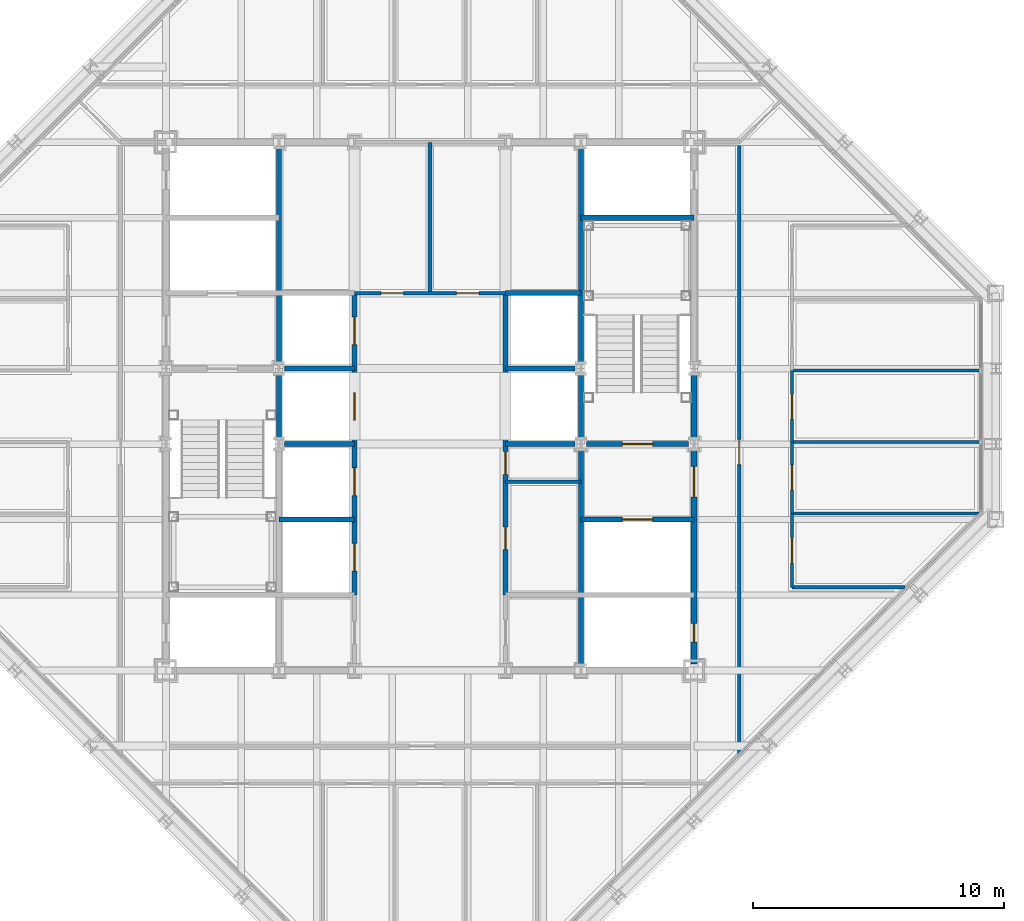
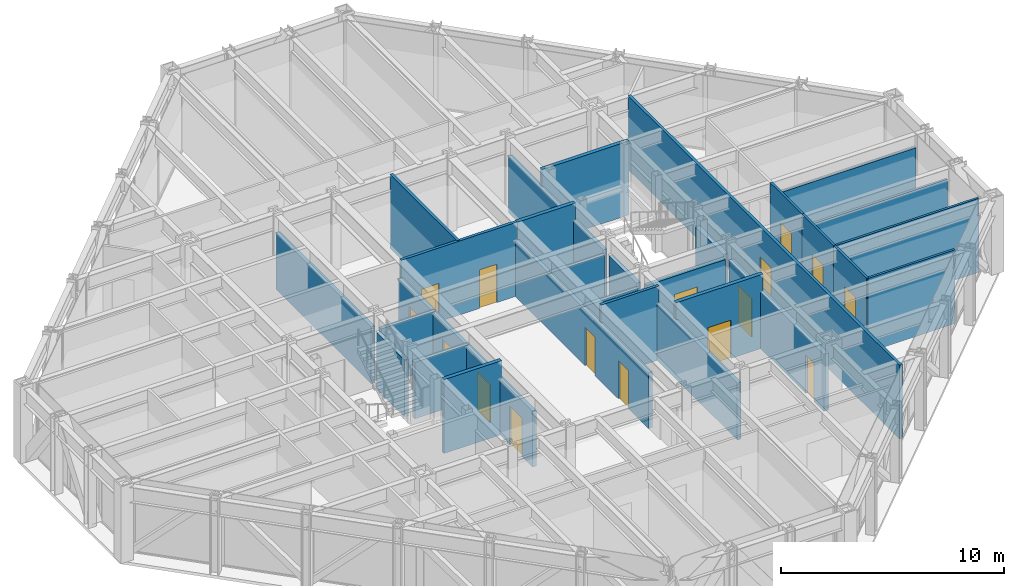
# One storey, part 11 of 15: 29 walls, 16 doors, 16 openings.
"""IFC4 building model written with IfcOpenShell, lengths in metres."""

from ifc_helpers import new_model, si_unit, direction, frame, frame_2d, origin, place, context, subcontext, project, spatial, rectangle, extrude, material, layer, layer_set, type_object, element, fill, save


model = new_model("IFC4")

# Units and contexts
model_context = context("Model", 3, precision=1e-05, world=origin(), true_north=direction((0.0, 1.0)))
body_context = subcontext(model_context, "Body", "Model", "MODEL_VIEW")
ifc_project = project(units=[si_unit("LENGTHUNIT", "METRE"), si_unit("AREAUNIT", "SQUARE_METRE"), si_unit("VOLUMEUNIT", "CUBIC_METRE"), si_unit("PLANEANGLEUNIT", "RADIAN"), si_unit("MASSUNIT", "GRAM", prefix="KILO")], contexts=[model_context])

# Site, building, storey
site_placement = place(None, origin())
site = spatial("IfcSite", under=ifc_project, at=site_placement, CompositionType="ELEMENT")
building_placement = place(site_placement, origin())
building = spatial("IfcBuilding", under=site, at=building_placement, Name="Chuquiago Exchange Tower", CompositionType="ELEMENT")
storey_placement = place(building_placement, frame((0.0, 0.0, 270.60009765625)))
storey = spatial("IfcBuildingStorey", under=building, at=storey_placement, Name="L60", CompositionType="ELEMENT", Elevation=270.60009765625)

# Wall, openings, doors
ifc_material_1 = material(Name="Concrete masonry, fully grouted", Category="masonry")
ifc_layer_1 = layer(ifc_material_1, 0.25)
ifc_layer_set_1 = layer_set([ifc_layer_1], Name="W1 core wall 250")
wall_type_1 = type_object("IfcWallType", Name="W1 core wall 250", PredefinedType="SOLIDWALL", material=ifc_layer_set_1)
wall_1_placement = place(storey_placement, frame((33.0, 12.25, 0.0), z_axis=(0.0, 0.0, 1.0), x_axis=(0.0, 1.0, 0.0)))
wall_1 = element("IfcWall", 1, at=wall_1_placement, inside=storey, type_object=wall_type_1, Name="CW-L60-25-0", PredefinedType="SOLIDWALL", context=body_context, shape_type="SweptSolid", body=[
    extrude(rectangle(XDim=8.5, YDim=0.25, at=frame_2d((4.25, 0.0))), origin(), (0.0, 0.0, 1.0), 3.11279296875),
])
opening_1_placement = place(wall_1_placement, frame((6.64990234375, 0.0, 0.0)))
opening_1 = element("IfcOpeningElement", 2, at=opening_1_placement, cuts=wall_1, Name="Opening L60-004", PredefinedType="OPENING", context=body_context, shape_type="SweptSolid", body=[
    extrude(rectangle(XDim=1.199951171875, YDim=2.10009765625, at=frame_2d((0.60009765625, 1.050048828125))), frame((0.0, 0.135009765625, 0.0), z_axis=(0.0, -1.0, 0.0), x_axis=(1.0, 0.0, 0.0)), (0.0, 0.0, 1.0), 0.27001953125),
])
opening_2_placement = place(wall_1_placement, frame((0.875, 0.0, 0.0)))
opening_2 = element("IfcOpeningElement", 3, at=opening_2_placement, cuts=wall_1, Name="Opening L60-009", PredefinedType="OPENING", context=body_context, shape_type="SweptSolid", body=[
    extrude(rectangle(XDim=0.75, YDim=2.10009765625, at=frame_2d((0.375, 1.050048828125))), frame((0.0, 0.135009765625, 0.0), z_axis=(0.0, -1.0, 0.0), x_axis=(1.0, 0.0, 0.0)), (0.0, 0.0, 1.0), 0.27001953125),
])
ifc_material_2 = material(Name="Steel door, painted", Category="steel")
door_type_1 = type_object("IfcDoorType", Name="D5 firefighting lobby door 1200x2100", OperationType="SINGLE_SWING_LEFT", PredefinedType="DOOR", material=ifc_material_2)
door_1_placement = place(opening_1_placement, origin())
door_1 = element("IfcDoor", 4, at=door_1_placement, inside=storey, type_object=door_type_1, Name="Firefighting lobby 2 door", OperationType="SINGLE_SWING_RIGHT", OverallHeight=2.10009765625, OverallWidth=1.199951171875, PredefinedType="DOOR", context=body_context, shape_type="SweptSolid", body=[
    extrude(rectangle(XDim=1.199951171875, YDim=2.10009765625, at=frame_2d((0.60009765625, 1.050048828125))), frame((0.0, 0.02490234375, 0.0), z_axis=(0.0, -1.0, 0.0), x_axis=(1.0, 0.0, 0.0)), (0.0, 0.0, 1.0), 0.050048828125),
])
fill(opening_1, door_1)
ifc_material_3 = material(Name="Steel door, painted", Category="steel")
door_type_2 = type_object("IfcDoorType", Name="D6 riser access door 750x2100", OperationType="SINGLE_SWING_LEFT", PredefinedType="DOOR", material=ifc_material_3)
door_2_placement = place(opening_2_placement, origin())
door_2 = element("IfcDoor", 5, at=door_2_placement, inside=storey, type_object=door_type_2, Name="Riser RE1 door", OperationType="SINGLE_SWING_LEFT", OverallHeight=2.10009765625, OverallWidth=0.75, PredefinedType="DOOR", context=body_context, shape_type="SweptSolid", body=[
    extrude(rectangle(XDim=0.75, YDim=2.10009765625, at=frame_2d((0.375, 1.050048828125))), frame((0.0, 0.02490234375, 0.0), z_axis=(0.0, -1.0, 0.0), x_axis=(1.0, 0.0, 0.0)), (0.0, 0.0, 1.0), 0.050048828125),
])
fill(opening_2, door_2)

# Wall
wall_2_placement = place(storey_placement, frame((33.0, 21.25, 0.0), z_axis=(0.0, 0.0, 1.0), x_axis=(0.0, 1.0, 0.0)))
element("IfcWall", 6, at=wall_2_placement, inside=storey, type_object=wall_type_1, Name="CW-L60-25-1", PredefinedType="SOLIDWALL", context=body_context, shape_type="SweptSolid", body=[
    extrude(rectangle(XDim=2.5, YDim=0.25, at=frame_2d((1.25, 0.0))), origin(), (0.0, 0.0, 1.0), 3.11279296875),
])

# Wall, opening, door
ifc_material_4 = material(Name="Gypsum board on steel studs, acoustic insulation", Category="steel")
ifc_layer_2 = layer(ifc_material_4, 0.14990234375)
ifc_layer_set_2 = layer_set([ifc_layer_2], Name="W11 corridor wall 150")
wall_type_2 = type_object("IfcWallType", Name="W11 corridor wall 150", PredefinedType="PARTITIONING", material=ifc_layer_set_2)
wall_3_placement = place(storey_placement, frame((34.800048828125, 8.685546875, 0.0), z_axis=(0.0, 0.0, 1.0), x_axis=(0.0, 1.0, 0.0)))
wall_3 = element("IfcWall", 7, at=wall_3_placement, inside=storey, type_object=wall_type_2, Name="PW-L60-GE0", PredefinedType="PARTITIONING", context=body_context, shape_type="SweptSolid", body=[
    extrude(rectangle(XDim=24.314453125, YDim=0.14990234375, at=frame_2d((12.1572265625, 0.0))), origin(), (0.0, 0.0, 1.0), 4.039794921875),
])
opening_3_placement = place(wall_3_placement, frame((11.5, 0.0, 0.0)))
opening_3 = element("IfcOpeningElement", 8, at=opening_3_placement, cuts=wall_3, Name="Opening L60-043", PredefinedType="OPENING", context=body_context, shape_type="SweptSolid", body=[
    extrude(rectangle(XDim=1.0, YDim=2.39990234375, at=frame_2d((0.5, 1.199951171875))), frame((0.0, 0.0849609375, 0.0), z_axis=(0.0, -1.0, 0.0), x_axis=(1.0, 0.0, 0.0)), (0.0, 0.0, 1.0), 0.169921875),
])
ifc_material_5 = material(Name="Timber door, laminate faced", Category="wood")
door_type_3 = type_object("IfcDoorType", Name="D9 room door 1000x2400", OperationType="SINGLE_SWING_LEFT", PredefinedType="DOOR", material=ifc_material_5)
door_3_placement = place(opening_3_placement, frame((1.0, 0.0, 0.0), z_axis=(0.0, 0.0, 1.0), x_axis=(-1.0, 0.0, 0.0)))
door_3 = element("IfcDoor", 9, at=door_3_placement, inside=storey, type_object=door_type_3, Name="Team area door", OperationType="SINGLE_SWING_RIGHT", OverallHeight=2.39990234375, OverallWidth=1.0, PredefinedType="DOOR", context=body_context, shape_type="SweptSolid", body=[
    extrude(rectangle(XDim=1.0, YDim=2.39990234375, at=frame_2d((0.5, 1.199951171875))), frame((0.0, 0.02490234375, 0.0), z_axis=(0.0, -1.0, 0.0), x_axis=(1.0, 0.0, 0.0)), (0.0, 0.0, 1.0), 0.050048828125),
])
fill(opening_3, door_3)

# Walls
ifc_material_6 = material(Name="Concrete masonry, fully grouted", Category="masonry")
ifc_layer_3 = layer(ifc_material_6, 0.199951171875)
ifc_layer_set_3 = layer_set([ifc_layer_3], Name="W2 shaft wall 200")
wall_type_3 = type_object("IfcWallType", Name="W2 shaft wall 200", PredefinedType="SOLIDWALL", material=ifc_layer_set_3)
for number, where, z_axis, x_axis, name in (
    (10, (16.724853515625, 24.0, 0.0), (0.0, 0.0, 1.0), (1.0, 0.0, 0.0), "CW-L60-05-1"),
    (11, (25.5, 24.0, 0.0), (0.0, 0.0, 1.0), (1.0, 0.0, 0.0), "CW-L60-06-0"),
):
    element("IfcWall", number, at=place(storey_placement, frame(where, z_axis=z_axis, x_axis=x_axis)), inside=storey, type_object=wall_type_3, Name=name, PredefinedType="SOLIDWALL", context=body_context, shape_type="SweptSolid", body=[
        extrude(rectangle(XDim=2.775146484375, YDim=0.199951171875, at=frame_2d((1.3876953125, 0.0))), origin(), (0.0, 0.0, 1.0), 3.08984375),
    ])
wall_4_placement = place(storey_placement, frame((25.5, 27.0, 0.0), z_axis=(0.0, 0.0, 1.0), x_axis=(1.0, 0.0, 0.0)))
element("IfcWall", 12, at=wall_4_placement, inside=storey, type_object=wall_type_3, Name="CW-L60-08-0", PredefinedType="SOLIDWALL", context=body_context, shape_type="SweptSolid", body=[
    extrude(rectangle(XDim=3.0, YDim=0.199951171875, at=frame_2d((1.5, 0.0))), origin(), (0.0, 0.0, 1.0), 4.039794921875),
])
wall_5_placement = place(storey_placement, frame((28.5, 30.0, 0.0), z_axis=(0.0, 0.0, 1.0), x_axis=(1.0, 0.0, 0.0)))
element("IfcWall", 13, at=wall_5_placement, inside=storey, type_object=wall_type_3, Name="CW-L60-10-0", PredefinedType="SOLIDWALL", context=body_context, shape_type="SweptSolid", body=[
    extrude(rectangle(XDim=4.5, YDim=0.199951171875, at=frame_2d((2.25, 0.0))), origin(), (0.0, 0.0, 1.0), 4.039794921875),
])
wall_6_placement = place(storey_placement, frame((16.5, 21.25, 0.0), z_axis=(0.0, 0.0, 1.0), x_axis=(0.0, 1.0, 0.0)))
element("IfcWall", 14, at=wall_6_placement, inside=storey, type_object=wall_type_3, Name="CW-L60-13-1", PredefinedType="SOLIDWALL", context=body_context, shape_type="SweptSolid", body=[
    extrude(rectangle(XDim=2.5, YDim=0.199951171875, at=frame_2d((1.25, 0.0))), origin(), (0.0, 0.0, 1.0), 3.11279296875),
])
wall_7_placement = place(storey_placement, frame((16.5, 24.25, 0.0), z_axis=(0.0, 0.0, 1.0), x_axis=(0.0, 1.0, 0.0)))
element("IfcWall", 15, at=wall_7_placement, inside=storey, type_object=wall_type_3, Name="CW-L60-13-2", PredefinedType="SOLIDWALL", context=body_context, shape_type="SweptSolid", body=[
    extrude(rectangle(XDim=8.5, YDim=0.199951171875, at=frame_2d((4.25, 0.0))), origin(), (0.0, 0.0, 1.0), 3.11279296875),
])
wall_8_placement = place(storey_placement, frame((16.5, 18.0, 0.0), z_axis=(0.0, 0.0, 1.0), x_axis=(1.0, 0.0, 0.0)))
element("IfcWall", 16, at=wall_8_placement, inside=storey, type_object=wall_type_3, Name="CW-L60-14-0", PredefinedType="SOLIDWALL", context=body_context, shape_type="SweptSolid", body=[
    extrude(rectangle(XDim=3.0, YDim=0.199951171875, at=frame_2d((1.5, 0.0))), origin(), (0.0, 0.0, 1.0), 4.039794921875),
])

# Wall, opening, door
wall_9_placement = place(storey_placement, frame((28.5, 18.0, 0.0), z_axis=(0.0, 0.0, 1.0), x_axis=(1.0, 0.0, 0.0)))
wall_9 = element("IfcWall", 17, at=wall_9_placement, inside=storey, type_object=wall_type_3, Name="CW-L60-15-0", PredefinedType="SOLIDWALL", context=body_context, shape_type="SweptSolid", body=[
    extrude(rectangle(XDim=4.5, YDim=0.199951171875, at=frame_2d((2.25, 0.0))), origin(), (0.0, 0.0, 1.0), 4.039794921875),
])
opening_4_placement = place(wall_9_placement, frame((1.64990234375, 0.0, 0.0)))
opening_4 = element("IfcOpeningElement", 18, at=opening_4_placement, cuts=wall_9, Name="Opening L60-006", PredefinedType="OPENING", context=body_context, shape_type="SweptSolid", body=[
    extrude(rectangle(XDim=1.199951171875, YDim=2.10009765625, at=frame_2d((0.60009765625, 1.050048828125))), frame((0.0, 0.10986328125, 0.0), z_axis=(0.0, -1.0, 0.0), x_axis=(1.0, 0.0, 0.0)), (0.0, 0.0, 1.0), 0.219970703125),
])
ifc_material_7 = material(Name="Stainless steel lift landing door", Category="steel")
door_type_4 = type_object("IfcDoorType", Name="LD2 firefighting lift landing door 1200x2100", OperationType="DOUBLE_DOOR_SLIDING", PredefinedType="DOOR", material=ifc_material_7)
door_4_placement = place(opening_4_placement, origin())
door_4 = element("IfcDoor", 19, at=door_4_placement, inside=storey, type_object=door_type_4, Name="Firefighting lift FL2 landing door", OperationType="DOUBLE_DOOR_SLIDING", OverallHeight=2.10009765625, OverallWidth=1.199951171875, PredefinedType="DOOR", context=body_context, shape_type="SweptSolid", body=[
    extrude(rectangle(XDim=1.199951171875, YDim=2.10009765625, at=frame_2d((0.60009765625, 1.050048828125))), frame((0.0, 0.02490234375, 0.0), z_axis=(0.0, -1.0, 0.0), x_axis=(1.0, 0.0, 0.0)), (0.0, 0.0, 1.0), 0.050048828125),
])
fill(opening_4, door_4)

# Walls
for number, where, z_axis, x_axis, name in (
    (20, (16.724853515625, 21.0, 0.0), (0.0, 0.0, 1.0), (1.0, 0.0, 0.0), "CW-L60-16-0"),
    (21, (25.5, 21.0, 0.0), (0.0, 0.0, 1.0), (1.0, 0.0, 0.0), "CW-L60-17-0"),
):
    element("IfcWall", number, at=place(storey_placement, frame(where, z_axis=z_axis, x_axis=x_axis)), inside=storey, type_object=wall_type_3, Name=name, PredefinedType="SOLIDWALL", context=body_context, shape_type="SweptSolid", body=[
        extrude(rectangle(XDim=2.775146484375, YDim=0.199951171875, at=frame_2d((1.3876953125, 0.0))), origin(), (0.0, 0.0, 1.0), 3.08984375),
    ])

# Wall, opening, door
wall_10_placement = place(storey_placement, frame((28.724853515625, 21.0, 0.0), z_axis=(0.0, 0.0, 1.0), x_axis=(1.0, 0.0, 0.0)))
wall_10 = element("IfcWall", 22, at=wall_10_placement, inside=storey, type_object=wall_type_3, Name="CW-L60-17-1", PredefinedType="SOLIDWALL", context=body_context, shape_type="SweptSolid", body=[
    extrude(rectangle(XDim=4.05029296875, YDim=0.199951171875, at=frame_2d((2.025146484375, 0.0))), origin(), (0.0, 0.0, 1.0), 3.08984375),
])
opening_5_placement = place(wall_10_placement, frame((1.42529296875, 0.0, 0.0)))
opening_5 = element("IfcOpeningElement", 23, at=opening_5_placement, cuts=wall_10, Name="Opening L60-003", PredefinedType="OPENING", context=body_context, shape_type="SweptSolid", body=[
    extrude(rectangle(XDim=1.199951171875, YDim=2.10009765625, at=frame_2d((0.60009765625, 1.050048828125))), frame((0.0, 0.10986328125, 0.0), z_axis=(0.0, -1.0, 0.0), x_axis=(1.0, 0.0, 0.0)), (0.0, 0.0, 1.0), 0.219970703125),
])
ifc_material_8 = material(Name="Steel door, painted", Category="steel")
door_type_5 = type_object("IfcDoorType", Name="D4 stair door 1200x2100", OperationType="SINGLE_SWING_LEFT", PredefinedType="DOOR", material=ifc_material_8)
door_5_placement = place(opening_5_placement, origin())
door_5 = element("IfcDoor", 24, at=door_5_placement, inside=storey, type_object=door_type_5, Name="Stair ST2 door", OperationType="SINGLE_SWING_RIGHT", OverallHeight=2.10009765625, OverallWidth=1.199951171875, PredefinedType="DOOR", context=body_context, shape_type="SweptSolid", body=[
    extrude(rectangle(XDim=1.199951171875, YDim=2.10009765625, at=frame_2d((0.60009765625, 1.050048828125))), frame((0.0, 0.02490234375, 0.0), z_axis=(0.0, -1.0, 0.0), x_axis=(1.0, 0.0, 0.0)), (0.0, 0.0, 1.0), 0.050048828125),
])
fill(opening_5, door_5)

# Wall, openings, doors
wall_11_placement = place(storey_placement, frame((19.5, 15.0, 0.0), z_axis=(0.0, 0.0, 1.0), x_axis=(0.0, 1.0, 0.0)))
wall_11 = element("IfcWall", 25, at=wall_11_placement, inside=storey, type_object=wall_type_3, Name="CW-L60-19-0", PredefinedType="SOLIDWALL", context=body_context, shape_type="SweptSolid", body=[
    extrude(rectangle(XDim=12.0, YDim=0.199951171875, at=frame_2d((6.0, 0.0))), origin(), (0.0, 0.0, 1.0), 3.064453125),
])
opening_6_placement = place(wall_11_placement, frame((0.949951171875, 0.0, 0.0)))
opening_6 = element("IfcOpeningElement", 26, at=opening_6_placement, cuts=wall_11, Name="Opening L60-017", PredefinedType="OPENING", context=body_context, shape_type="SweptSolid", body=[
    extrude(rectangle(XDim=1.10009765625, YDim=2.10009765625, at=frame_2d((0.550048828125, 1.050048828125))), frame((0.0, 0.10986328125, 0.0), z_axis=(0.0, -1.0, 0.0), x_axis=(1.0, 0.0, 0.0)), (0.0, 0.0, 1.0), 0.219970703125),
])
opening_7_placement = place(wall_11_placement, frame((3.949951171875, 0.0, 0.0)))
opening_7 = element("IfcOpeningElement", 27, at=opening_7_placement, cuts=wall_11, Name="Opening L60-018", PredefinedType="OPENING", context=body_context, shape_type="SweptSolid", body=[
    extrude(rectangle(XDim=1.10009765625, YDim=2.10009765625, at=frame_2d((0.550048828125, 1.050048828125))), frame((0.0, 0.10986328125, 0.0), z_axis=(0.0, -1.0, 0.0), x_axis=(1.0, 0.0, 0.0)), (0.0, 0.0, 1.0), 0.219970703125),
])
opening_8_placement = place(wall_11_placement, frame((6.949951171875, 0.0, 0.0)))
opening_8 = element("IfcOpeningElement", 28, at=opening_8_placement, cuts=wall_11, Name="Opening L60-019", PredefinedType="OPENING", context=body_context, shape_type="SweptSolid", body=[
    extrude(rectangle(XDim=1.10009765625, YDim=2.10009765625, at=frame_2d((0.550048828125, 1.050048828125))), frame((0.0, 0.10986328125, 0.0), z_axis=(0.0, -1.0, 0.0), x_axis=(1.0, 0.0, 0.0)), (0.0, 0.0, 1.0), 0.219970703125),
])
opening_9_placement = place(wall_11_placement, frame((9.949951171875, 0.0, 0.0)))
opening_9 = element("IfcOpeningElement", 29, at=opening_9_placement, cuts=wall_11, Name="Opening L60-020", PredefinedType="OPENING", context=body_context, shape_type="SweptSolid", body=[
    extrude(rectangle(XDim=1.10009765625, YDim=2.10009765625, at=frame_2d((0.550048828125, 1.050048828125))), frame((0.0, 0.10986328125, 0.0), z_axis=(0.0, -1.0, 0.0), x_axis=(1.0, 0.0, 0.0)), (0.0, 0.0, 1.0), 0.219970703125),
])
ifc_material_9 = material(Name="Stainless steel lift landing door", Category="steel")
door_type_6 = type_object("IfcDoorType", Name="LD1 lift landing door 1100x2100", OperationType="DOUBLE_DOOR_SLIDING", PredefinedType="DOOR", material=ifc_material_9)
door_6_placement = place(opening_6_placement, origin())
door_6 = element("IfcDoor", 30, at=door_6_placement, inside=storey, type_object=door_type_6, Name="Lift LD1 landing door", OperationType="DOUBLE_DOOR_SLIDING", OverallHeight=2.10009765625, OverallWidth=1.10009765625, PredefinedType="DOOR", context=body_context, shape_type="SweptSolid", body=[
    extrude(rectangle(XDim=1.10009765625, YDim=2.10009765625, at=frame_2d((0.550048828125, 1.050048828125))), frame((0.0, 0.02490234375, 0.0), z_axis=(0.0, -1.0, 0.0), x_axis=(1.0, 0.0, 0.0)), (0.0, 0.0, 1.0), 0.050048828125),
])
fill(opening_6, door_6)
door_7_placement = place(opening_7_placement, origin())
door_7 = element("IfcDoor", 31, at=door_7_placement, inside=storey, type_object=door_type_6, Name="Lift LD2 landing door", OperationType="DOUBLE_DOOR_SLIDING", OverallHeight=2.10009765625, OverallWidth=1.10009765625, PredefinedType="DOOR", context=body_context, shape_type="SweptSolid", body=[
    extrude(rectangle(XDim=1.10009765625, YDim=2.10009765625, at=frame_2d((0.550048828125, 1.050048828125))), frame((0.0, 0.02490234375, 0.0), z_axis=(0.0, -1.0, 0.0), x_axis=(1.0, 0.0, 0.0)), (0.0, 0.0, 1.0), 0.050048828125),
])
fill(opening_7, door_7)
door_8_placement = place(opening_8_placement, origin())
door_8 = element("IfcDoor", 32, at=door_8_placement, inside=storey, type_object=door_type_6, Name="Lift LD3 landing door", OperationType="DOUBLE_DOOR_SLIDING", OverallHeight=2.10009765625, OverallWidth=1.10009765625, PredefinedType="DOOR", context=body_context, shape_type="SweptSolid", body=[
    extrude(rectangle(XDim=1.10009765625, YDim=2.10009765625, at=frame_2d((0.550048828125, 1.050048828125))), frame((0.0, 0.02490234375, 0.0), z_axis=(0.0, -1.0, 0.0), x_axis=(1.0, 0.0, 0.0)), (0.0, 0.0, 1.0), 0.050048828125),
])
fill(opening_8, door_8)
door_9_placement = place(opening_9_placement, origin())
door_9 = element("IfcDoor", 33, at=door_9_placement, inside=storey, type_object=door_type_6, Name="Lift LD4 landing door", OperationType="DOUBLE_DOOR_SLIDING", OverallHeight=2.10009765625, OverallWidth=1.10009765625, PredefinedType="DOOR", context=body_context, shape_type="SweptSolid", body=[
    extrude(rectangle(XDim=1.10009765625, YDim=2.10009765625, at=frame_2d((0.550048828125, 1.050048828125))), frame((0.0, 0.02490234375, 0.0), z_axis=(0.0, -1.0, 0.0), x_axis=(1.0, 0.0, 0.0)), (0.0, 0.0, 1.0), 0.050048828125),
])
fill(opening_9, door_9)

wall_12_placement = place(storey_placement, frame((25.5, 15.0, 0.0), z_axis=(0.0, 0.0, 1.0), x_axis=(0.0, 1.0, 0.0)))
wall_12 = element("IfcWall", 34, at=wall_12_placement, inside=storey, type_object=wall_type_3, Name="CW-L60-22-0", PredefinedType="SOLIDWALL", context=body_context, shape_type="SweptSolid", body=[
    extrude(rectangle(XDim=12.0, YDim=0.199951171875, at=frame_2d((6.0, 0.0))), origin(), (0.0, 0.0, 1.0), 3.064453125),
])
opening_10_placement = place(wall_12_placement, frame((1.800048828125, 0.0, 0.0)))
opening_10 = element("IfcOpeningElement", 35, at=opening_10_placement, cuts=wall_12, Name="Opening L60-014", PredefinedType="OPENING", context=body_context, shape_type="SweptSolid", body=[
    extrude(rectangle(XDim=0.89990234375, YDim=2.10009765625, at=frame_2d((0.449951171875, 1.050048828125))), frame((0.0, 0.10986328125, 0.0), z_axis=(0.0, -1.0, 0.0), x_axis=(1.0, 0.0, 0.0)), (0.0, 0.0, 1.0), 0.219970703125),
])
opening_11_placement = place(wall_12_placement, frame((4.800048828125, 0.0, 0.0)))
opening_11 = element("IfcOpeningElement", 36, at=opening_11_placement, cuts=wall_12, Name="Opening L60-015", PredefinedType="OPENING", context=body_context, shape_type="SweptSolid", body=[
    extrude(rectangle(XDim=0.89990234375, YDim=2.10009765625, at=frame_2d((0.449951171875, 1.050048828125))), frame((0.0, 0.10986328125, 0.0), z_axis=(0.0, -1.0, 0.0), x_axis=(1.0, 0.0, 0.0)), (0.0, 0.0, 1.0), 0.219970703125),
])
ifc_material_10 = material(Name="Timber door, laminate faced", Category="wood")
door_type_7 = type_object("IfcDoorType", Name="D16 core room door 900x2100", OperationType="SINGLE_SWING_LEFT", PredefinedType="DOOR", material=ifc_material_10)
door_10_placement = place(opening_10_placement, frame((0.89990234375, 0.0, 0.0), z_axis=(0.0, 0.0, 1.0), x_axis=(-1.0, 0.0, 0.0)))
door_10 = element("IfcDoor", 37, at=door_10_placement, inside=storey, type_object=door_type_7, Name="IT equipment room door", OperationType="SINGLE_SWING_RIGHT", OverallHeight=2.10009765625, OverallWidth=0.89990234375, PredefinedType="DOOR", context=body_context, shape_type="SweptSolid", body=[
    extrude(rectangle(XDim=0.89990234375, YDim=2.10009765625, at=frame_2d((0.449951171875, 1.050048828125))), frame((0.0, 0.02490234375, 0.0), z_axis=(0.0, -1.0, 0.0), x_axis=(1.0, 0.0, 0.0)), (0.0, 0.0, 1.0), 0.050048828125),
])
fill(opening_10, door_10)
door_11_placement = place(opening_11_placement, frame((0.89990234375, 0.0, 0.0), z_axis=(0.0, 0.0, 1.0), x_axis=(-1.0, 0.0, 0.0)))
door_11 = element("IfcDoor", 38, at=door_11_placement, inside=storey, type_object=door_type_7, Name="Vending room door", OperationType="SINGLE_SWING_LEFT", OverallHeight=2.10009765625, OverallWidth=0.89990234375, PredefinedType="DOOR", context=body_context, shape_type="SweptSolid", body=[
    extrude(rectangle(XDim=0.89990234375, YDim=2.10009765625, at=frame_2d((0.449951171875, 1.050048828125))), frame((0.0, 0.02490234375, 0.0), z_axis=(0.0, -1.0, 0.0), x_axis=(1.0, 0.0, 0.0)), (0.0, 0.0, 1.0), 0.050048828125),
])
fill(opening_11, door_11)

# Walls
wall_13_placement = place(storey_placement, frame((28.5, 12.25, 0.0), z_axis=(0.0, 0.0, 1.0), x_axis=(0.0, 1.0, 0.0)))
element("IfcWall", 39, at=wall_13_placement, inside=storey, type_object=wall_type_3, Name="CW-L60-24-0", PredefinedType="SOLIDWALL", context=body_context, shape_type="SweptSolid", body=[
    extrude(rectangle(XDim=8.5, YDim=0.199951171875, at=frame_2d((4.25, 0.0))), origin(), (0.0, 0.0, 1.0), 3.11279296875),
])
wall_14_placement = place(storey_placement, frame((28.5, 21.25, 0.0), z_axis=(0.0, 0.0, 1.0), x_axis=(0.0, 1.0, 0.0)))
element("IfcWall", 40, at=wall_14_placement, inside=storey, type_object=wall_type_3, Name="CW-L60-24-1", PredefinedType="SOLIDWALL", context=body_context, shape_type="SweptSolid", body=[
    extrude(rectangle(XDim=2.5, YDim=0.199951171875, at=frame_2d((1.25, 0.0))), origin(), (0.0, 0.0, 1.0), 3.11279296875),
])
wall_15_placement = place(storey_placement, frame((28.5, 24.25, 0.0), z_axis=(0.0, 0.0, 1.0), x_axis=(0.0, 1.0, 0.0)))
element("IfcWall", 41, at=wall_15_placement, inside=storey, type_object=wall_type_3, Name="CW-L60-24-2", PredefinedType="SOLIDWALL", context=body_context, shape_type="SweptSolid", body=[
    extrude(rectangle(XDim=8.5, YDim=0.199951171875, at=frame_2d((4.25, 0.0))), origin(), (0.0, 0.0, 1.0), 3.11279296875),
])

# Wall, openings, doors
ifc_material_11 = material(Name="Gypsum board on steel studs", Category="steel")
ifc_layer_4 = layer(ifc_material_11, 0.14990234375)
ifc_layer_set_4 = layer_set([ifc_layer_4], Name="W3 core partition 150")
wall_type_4 = type_object("IfcWallType", Name="W3 core partition 150", PredefinedType="PARTITIONING", material=ifc_layer_set_4)
wall_16_placement = place(storey_placement, frame((19.5, 27.0, 0.0), z_axis=(0.0, 0.0, 1.0), x_axis=(1.0, 0.0, 0.0)))
wall_16 = element("IfcWall", 42, at=wall_16_placement, inside=storey, type_object=wall_type_4, Name="CW-L60-TF", PredefinedType="PARTITIONING", context=body_context, shape_type="SweptSolid", body=[
    extrude(rectangle(XDim=6.0, YDim=0.14990234375, at=frame_2d((3.0, 0.0))), origin(), (0.0, 0.0, 1.0), 4.039794921875),
])
opening_12_placement = place(wall_16_placement, frame((1.050048828125, 0.0, 0.0)))
opening_12 = element("IfcOpeningElement", 43, at=opening_12_placement, cuts=wall_16, Name="Opening L60-011", PredefinedType="OPENING", context=body_context, shape_type="SweptSolid", body=[
    extrude(rectangle(XDim=0.89990234375, YDim=2.10009765625, at=frame_2d((0.449951171875, 1.050048828125))), frame((0.0, 0.0849609375, 0.0), z_axis=(0.0, -1.0, 0.0), x_axis=(1.0, 0.0, 0.0)), (0.0, 0.0, 1.0), 0.169921875),
])
opening_13_placement = place(wall_16_placement, frame((4.050048828125, 0.0, 0.0)))
opening_13 = element("IfcOpeningElement", 44, at=opening_13_placement, cuts=wall_16, Name="Opening L60-012", PredefinedType="OPENING", context=body_context, shape_type="SweptSolid", body=[
    extrude(rectangle(XDim=0.89990234375, YDim=2.10009765625, at=frame_2d((0.449951171875, 1.050048828125))), frame((0.0, 0.0849609375, 0.0), z_axis=(0.0, -1.0, 0.0), x_axis=(1.0, 0.0, 0.0)), (0.0, 0.0, 1.0), 0.169921875),
])
ifc_material_12 = material(Name="Timber door, laminate faced", Category="wood")
door_type_8 = type_object("IfcDoorType", Name="D7 toilet door 900x2100", OperationType="SINGLE_SWING_LEFT", PredefinedType="DOOR", material=ifc_material_12)
door_12_placement = place(opening_12_placement, origin())
door_12 = element("IfcDoor", 45, at=door_12_placement, inside=storey, type_object=door_type_8, Name="Male WC door", OperationType="SINGLE_SWING_RIGHT", OverallHeight=2.10009765625, OverallWidth=0.89990234375, PredefinedType="DOOR", context=body_context, shape_type="SweptSolid", body=[
    extrude(rectangle(XDim=0.89990234375, YDim=2.10009765625, at=frame_2d((0.449951171875, 1.050048828125))), frame((0.0, 0.02490234375, 0.0), z_axis=(0.0, -1.0, 0.0), x_axis=(1.0, 0.0, 0.0)), (0.0, 0.0, 1.0), 0.050048828125),
])
fill(opening_12, door_12)
door_13_placement = place(opening_13_placement, origin())
door_13 = element("IfcDoor", 46, at=door_13_placement, inside=storey, type_object=door_type_8, Name="Female WC door", OperationType="SINGLE_SWING_LEFT", OverallHeight=2.10009765625, OverallWidth=0.89990234375, PredefinedType="DOOR", context=body_context, shape_type="SweptSolid", body=[
    extrude(rectangle(XDim=0.89990234375, YDim=2.10009765625, at=frame_2d((0.449951171875, 1.050048828125))), frame((0.0, 0.02490234375, 0.0), z_axis=(0.0, -1.0, 0.0), x_axis=(1.0, 0.0, 0.0)), (0.0, 0.0, 1.0), 0.050048828125),
])
fill(opening_13, door_13)

# Walls
wall_17_placement = place(storey_placement, frame((22.5, 27.0, 0.0), z_axis=(0.0, 0.0, 1.0), x_axis=(0.0, 1.0, 0.0)))
element("IfcWall", 47, at=wall_17_placement, inside=storey, type_object=wall_type_4, Name="CW-L60-TM", PredefinedType="PARTITIONING", context=body_context, shape_type="SweptSolid", body=[
    extrude(rectangle(XDim=6.0, YDim=0.14990234375, at=frame_2d((3.0, 0.0))), origin(), (0.0, 0.0, 1.0), 4.039794921875),
])
wall_18_placement = place(storey_placement, frame((25.5, 19.5, 0.0), z_axis=(0.0, 0.0, 1.0), x_axis=(1.0, 0.0, 0.0)))
element("IfcWall", 48, at=wall_18_placement, inside=storey, type_object=wall_type_4, Name="CW-L60-EBR1-N", PredefinedType="PARTITIONING", context=body_context, shape_type="SweptSolid", body=[
    extrude(rectangle(XDim=3.0, YDim=0.14990234375, at=frame_2d((1.5, 0.0))), origin(), (0.0, 0.0, 1.0), 4.039794921875),
])
ifc_material_13 = material(Name="Gypsum board on steel studs", Category="steel")
ifc_layer_5 = layer(ifc_material_13, 0.1201171875)
ifc_layer_set_5 = layer_set([ifc_layer_5], Name="W4 partition 120")
wall_type_5 = type_object("IfcWallType", Name="W4 partition 120", PredefinedType="PARTITIONING", material=ifc_layer_set_5)
wall_19_placement = place(storey_placement, frame((41.392578125, 15.30712890625, 0.0), z_axis=(0.0, 0.0, 1.0), x_axis=(-1.0, 0.0, 0.0)))
element("IfcWall", 49, at=wall_19_placement, inside=storey, type_object=wall_type_5, Name="PW-L60-E01531", PredefinedType="PARTITIONING", context=body_context, shape_type="SweptSolid", body=[
    extrude(rectangle(XDim=4.49267578125, YDim=0.1201171875, at=frame_2d((2.246337890625, 0.0))), origin(), (0.0, 0.0, 1.0), 4.039794921875),
])
wall_20_placement = place(storey_placement, frame((44.333984375, 18.24853515625, 0.0), z_axis=(0.0, 0.0, 1.0), x_axis=(-1.0, 0.0, 0.0)))
element("IfcWall", 50, at=wall_20_placement, inside=storey, type_object=wall_type_5, Name="PW-L60-E01825", PredefinedType="PARTITIONING", context=body_context, shape_type="SweptSolid", body=[
    extrude(rectangle(XDim=7.43408203125, YDim=0.1201171875, at=frame_2d((3.717041015625, 0.0))), origin(), (0.0, 0.0, 1.0), 4.039794921875),
])
for number, where, z_axis, x_axis, name in (
    (51, (44.347412109375, 21.082763671875, 0.0), (0.0, 0.0, 1.0), (-1.0, 0.0, 0.0), "PW-L60-E02108"),
    (52, (44.347412109375, 23.917236328125, 0.0), (0.0, 0.0, 1.0), (-1.0, 0.0, 0.0), "PW-L60-E02392"),
):
    element("IfcWall", number, at=place(storey_placement, frame(where, z_axis=z_axis, x_axis=x_axis)), inside=storey, type_object=wall_type_5, Name=name, PredefinedType="PARTITIONING", context=body_context, shape_type="SweptSolid", body=[
        extrude(rectangle(XDim=7.447509765625, YDim=0.1201171875, at=frame_2d((3.7236328125, 0.0))), origin(), (0.0, 0.0, 1.0), 3.356689453125),
    ])

# Wall, opening, door
wall_21_placement = place(storey_placement, frame((36.89990234375, 15.30712890625, 0.0), z_axis=(0.0, 0.0, 1.0), x_axis=(0.0, 1.0, 0.0)))
wall_21 = element("IfcWall", 53, at=wall_21_placement, inside=storey, type_object=wall_type_5, Name="PW-L60-EF01531", PredefinedType="PARTITIONING", context=body_context, shape_type="SweptSolid", body=[
    extrude(rectangle(XDim=2.94140625, YDim=0.1201171875, at=frame_2d((1.470703125, 0.0))), origin(), (0.0, 0.0, 1.0), 4.039794921875),
])
opening_14_placement = place(wall_21_placement, frame((0.970703125, 0.0, 0.0)))
opening_14 = element("IfcOpeningElement", 54, at=opening_14_placement, cuts=wall_21, Name="Opening L60-026", PredefinedType="OPENING", context=body_context, shape_type="SweptSolid", body=[
    extrude(rectangle(XDim=1.0, YDim=2.39990234375, at=frame_2d((0.5, 1.199951171875))), frame((0.0, 0.070068359375, 0.0), z_axis=(0.0, -1.0, 0.0), x_axis=(1.0, 0.0, 0.0)), (0.0, 0.0, 1.0), 0.14013671875),
])
door_14_placement = place(opening_14_placement, frame((1.0, 0.0, 0.0), z_axis=(0.0, 0.0, 1.0), x_axis=(-1.0, 0.0, 0.0)))
door_14 = element("IfcDoor", 55, at=door_14_placement, inside=storey, type_object=door_type_3, Name="Office door", OperationType="SINGLE_SWING_LEFT", OverallHeight=2.39990234375, OverallWidth=1.0, PredefinedType="DOOR", context=body_context, shape_type="SweptSolid", body=[
    extrude(rectangle(XDim=1.0, YDim=2.39990234375, at=frame_2d((0.5, 1.199951171875))), frame((0.0, 0.02490234375, 0.0), z_axis=(0.0, -1.0, 0.0), x_axis=(1.0, 0.0, 0.0)), (0.0, 0.0, 1.0), 0.050048828125),
])
fill(opening_14, door_14)

wall_22_placement = place(storey_placement, frame((36.89990234375, 18.24853515625, 0.0), z_axis=(0.0, 0.0, 1.0), x_axis=(0.0, 1.0, 0.0)))
wall_22 = element("IfcWall", 56, at=wall_22_placement, inside=storey, type_object=wall_type_5, Name="PW-L60-EF01825", PredefinedType="PARTITIONING", context=body_context, shape_type="SweptSolid", body=[
    extrude(rectangle(XDim=2.834228515625, YDim=0.1201171875, at=frame_2d((1.4169921875, 0.0))), origin(), (0.0, 0.0, 1.0), 4.039794921875),
])
opening_15_placement = place(wall_22_placement, frame((0.9169921875, 0.0, 0.0)))
opening_15 = element("IfcOpeningElement", 57, at=opening_15_placement, cuts=wall_22, Name="Opening L60-027", PredefinedType="OPENING", context=body_context, shape_type="SweptSolid", body=[
    extrude(rectangle(XDim=1.0, YDim=2.39990234375, at=frame_2d((0.5, 1.199951171875))), frame((0.0, 0.070068359375, 0.0), z_axis=(0.0, -1.0, 0.0), x_axis=(1.0, 0.0, 0.0)), (0.0, 0.0, 1.0), 0.14013671875),
])
door_15_placement = place(opening_15_placement, frame((1.0, 0.0, 0.0), z_axis=(0.0, 0.0, 1.0), x_axis=(-1.0, 0.0, 0.0)))
door_15 = element("IfcDoor", 58, at=door_15_placement, inside=storey, type_object=door_type_3, Name="Executive office door", OperationType="SINGLE_SWING_RIGHT", OverallHeight=2.39990234375, OverallWidth=1.0, PredefinedType="DOOR", context=body_context, shape_type="SweptSolid", body=[
    extrude(rectangle(XDim=1.0, YDim=2.39990234375, at=frame_2d((0.5, 1.199951171875))), frame((0.0, 0.02490234375, 0.0), z_axis=(0.0, -1.0, 0.0), x_axis=(1.0, 0.0, 0.0)), (0.0, 0.0, 1.0), 0.050048828125),
])
fill(opening_15, door_15)

wall_23_placement = place(storey_placement, frame((36.89990234375, 21.082763671875, 0.0), z_axis=(0.0, 0.0, 1.0), x_axis=(0.0, 1.0, 0.0)))
wall_23 = element("IfcWall", 59, at=wall_23_placement, inside=storey, type_object=wall_type_5, Name="PW-L60-EF02108", PredefinedType="PARTITIONING", context=body_context, shape_type="SweptSolid", body=[
    extrude(rectangle(XDim=2.83447265625, YDim=0.1201171875, at=frame_2d((1.417236328125, 0.0))), origin(), (0.0, 0.0, 1.0), 4.039794921875),
])
opening_16_placement = place(wall_23_placement, frame((0.917236328125, 0.0, 0.0)))
opening_16 = element("IfcOpeningElement", 60, at=opening_16_placement, cuts=wall_23, Name="Opening L60-028", PredefinedType="OPENING", context=body_context, shape_type="SweptSolid", body=[
    extrude(rectangle(XDim=1.0, YDim=2.39990234375, at=frame_2d((0.5, 1.199951171875))), frame((0.0, 0.070068359375, 0.0), z_axis=(0.0, -1.0, 0.0), x_axis=(1.0, 0.0, 0.0)), (0.0, 0.0, 1.0), 0.14013671875),
])
door_16_placement = place(opening_16_placement, frame((1.0, 0.0, 0.0), z_axis=(0.0, 0.0, 1.0), x_axis=(-1.0, 0.0, 0.0)))
door_16 = element("IfcDoor", 61, at=door_16_placement, inside=storey, type_object=door_type_3, Name="Executive office door", OperationType="SINGLE_SWING_RIGHT", OverallHeight=2.39990234375, OverallWidth=1.0, PredefinedType="DOOR", context=body_context, shape_type="SweptSolid", body=[
    extrude(rectangle(XDim=1.0, YDim=2.39990234375, at=frame_2d((0.5, 1.199951171875))), frame((0.0, 0.02490234375, 0.0), z_axis=(0.0, -1.0, 0.0), x_axis=(1.0, 0.0, 0.0)), (0.0, 0.0, 1.0), 0.050048828125),
])
fill(opening_16, door_16)

save(model, "model.ifc")
